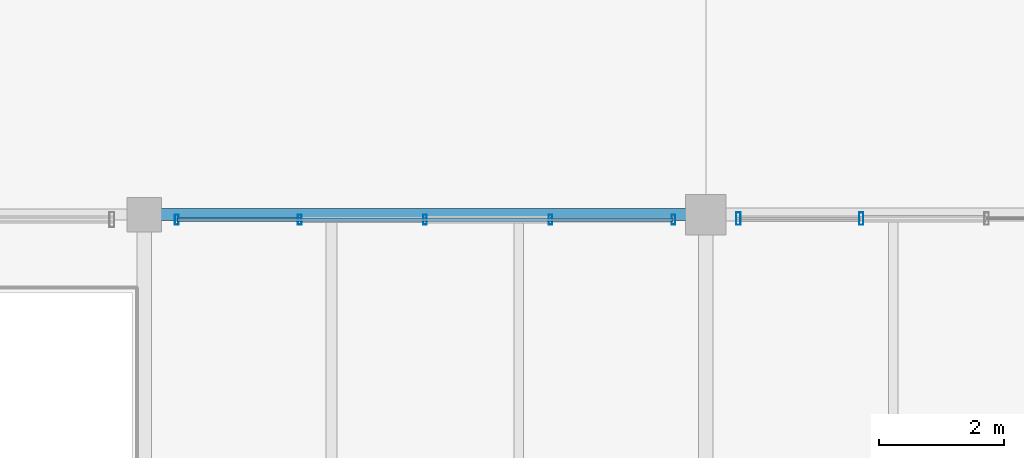
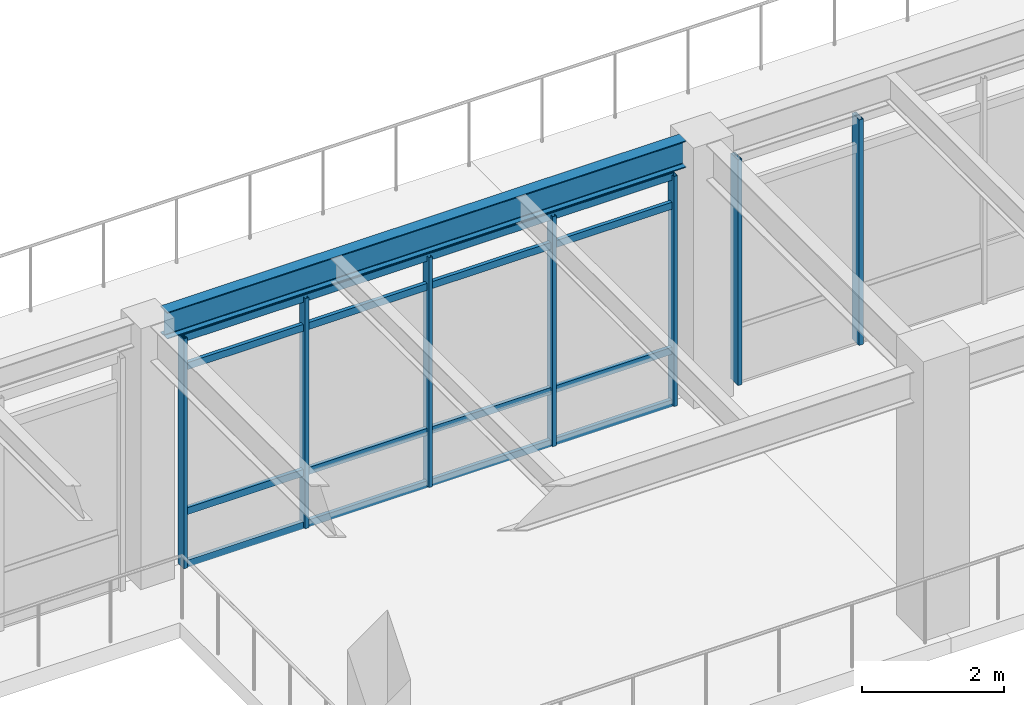
# One storey, part 75 of 200: 11 members, 1 beam, 2 elements without a shape of their own.
"""IFC4 building model written with IfcOpenShell, lengths in metres."""

from ifc_helpers import new_model, si_unit, direction, frame, origin, origin_2d, place, context, subcontext, project, spatial, hollow_rectangle, i_section, extrude, material, material_profile, profile_set, type_object, element, aggregate, save


model = new_model("IFC4")

# Units and contexts
model_context = context("Model", 3, precision=1e-05, world=origin(), true_north=direction((0.0, 1.0)))
body_context = subcontext(model_context, "Body", "Model", "MODEL_VIEW")
ifc_project = project(units=[si_unit("LENGTHUNIT", "METRE"), si_unit("AREAUNIT", "SQUARE_METRE"), si_unit("VOLUMEUNIT", "CUBIC_METRE"), si_unit("PLANEANGLEUNIT", "RADIAN"), si_unit("MASSUNIT", "GRAM", prefix="KILO"), si_unit("THERMODYNAMICTEMPERATUREUNIT", "KELVIN"), si_unit("POWERUNIT", "WATT")], contexts=[model_context])

# Site, building, storey
site_placement = place(None, origin())
site = spatial("IfcSite", under=ifc_project, at=site_placement, CompositionType="ELEMENT")
building_placement = place(site_placement, origin())
building = spatial("IfcBuilding", under=site, at=building_placement, Name="Tepalcoro Natatorium and Aquatics Centre", CompositionType="ELEMENT")
storey_placement = place(building_placement, frame((0.0, 0.0, 5.39990234375)))
storey = spatial("IfcBuildingStorey", under=building, at=storey_placement, Name="L01", CompositionType="ELEMENT", Elevation=5.39990234375)

# Curtain wall, members
ifc_material_1 = material(Name="Bronze-Anodised Extruded Aluminium Alloy EN AW-6063 T6", Category="aluminium")
curtain_wall_type_1 = type_object("IfcCurtainWallType", Name="CW_V1_PLINTH", PredefinedType="USERDEFINED", material=ifc_material_1)
curtain_wall_1_placement = place(storey_placement, origin())
curtain_wall_1 = element("IfcCurtainWall", 1, at=curtain_wall_1_placement, inside=storey, type_object=curtain_wall_type_1, Name="V1 L01 N Unitised Curtain Wall Bay 5", ObjectType="UNITISED STOREFRONT", PredefinedType="USERDEFINED")
ifc_material_profile_1 = material_profile(ifc_material_1, hollow_rectangle(XDim=0.06005859375, YDim=0.159912109375, WallThickness=0.00390625, at=origin_2d()), Name="AL60X160X4")
ifc_profile_set_1 = profile_set([ifc_material_profile_1], Name="Bronze-Anodised Extruded Aluminium Alloy EN AW-6063 T6")
member_type_1 = type_object("IfcMemberType", Name="CW_MUL_60x160", PredefinedType="MULLION", material=ifc_profile_set_1)
member_1_placement = place(storey_placement, frame((80.52001953125, 65.419921875, 0.02001953125), z_axis=(0.0, 0.0, 1.0), x_axis=(1.0, 0.0, 0.0)))
member_1 = element("IfcMember", 2, at=member_1_placement, type_object=member_type_1, Name="CW_V1_PLINTH Curtain Wall Mullion", PredefinedType="MULLION", context=body_context, shape_type="SweptSolid", body=[
    extrude(hollow_rectangle(XDim=0.06005859375, YDim=0.159912109375, WallThickness=0.00390625, at=origin_2d()), origin(), (0.0, 0.0, 1.0), 3.9501953125),
])
member_2_placement = place(storey_placement, frame((82.489990234375, 65.419921875, 0.02001953125), z_axis=(0.0, 0.0, 1.0), x_axis=(1.0, 0.0, 0.0)))
member_2 = element("IfcMember", 3, at=member_2_placement, type_object=member_type_1, Name="CW_V1_PLINTH Curtain Wall Mullion", PredefinedType="MULLION", context=body_context, shape_type="SweptSolid", body=[
    extrude(hollow_rectangle(XDim=0.06005859375, YDim=0.159912109375, WallThickness=0.00390625, at=origin_2d()), origin(), (0.0, 0.0, 1.0), 3.9501953125),
])
member_3_placement = place(storey_placement, frame((84.5, 65.419921875, 0.02001953125), z_axis=(0.0, 0.0, 1.0), x_axis=(1.0, 0.0, 0.0)))
member_3 = element("IfcMember", 4, at=member_3_placement, type_object=member_type_1, Name="CW_V1_PLINTH Curtain Wall Mullion", PredefinedType="MULLION", context=body_context, shape_type="SweptSolid", body=[
    extrude(hollow_rectangle(XDim=0.06005859375, YDim=0.159912109375, WallThickness=0.00390625, at=origin_2d()), origin(), (0.0, 0.0, 1.0), 3.9501953125),
])
member_4_placement = place(storey_placement, frame((86.510009765625, 65.419921875, 0.02001953125), z_axis=(0.0, 0.0, 1.0), x_axis=(1.0, 0.0, 0.0)))
member_4 = element("IfcMember", 5, at=member_4_placement, type_object=member_type_1, Name="CW_V1_PLINTH Curtain Wall Mullion", PredefinedType="MULLION", context=body_context, shape_type="SweptSolid", body=[
    extrude(hollow_rectangle(XDim=0.06005859375, YDim=0.159912109375, WallThickness=0.00390625, at=origin_2d()), origin(), (0.0, 0.0, 1.0), 3.9501953125),
])
member_5_placement = place(storey_placement, frame((88.47998046875, 65.419921875, 0.02001953125), z_axis=(0.0, 0.0, 1.0), x_axis=(1.0, 0.0, 0.0)))
member_5 = element("IfcMember", 6, at=member_5_placement, type_object=member_type_1, Name="CW_V1_PLINTH Curtain Wall Mullion", PredefinedType="MULLION", context=body_context, shape_type="SweptSolid", body=[
    extrude(hollow_rectangle(XDim=0.06005859375, YDim=0.159912109375, WallThickness=0.00390625, at=origin_2d()), origin(), (0.0, 0.0, 1.0), 3.9501953125),
])

curtain_wall_type_2 = type_object("IfcCurtainWallType", Name="CW_V2_DIVING", PredefinedType="USERDEFINED", material=ifc_material_1)
curtain_wall_2_placement = place(storey_placement, origin())
curtain_wall_2 = element("IfcCurtainWall", 7, at=curtain_wall_2_placement, inside=storey, type_object=curtain_wall_type_2, Name="V1 L01 N Unitised Curtain Wall Bay 6", ObjectType="FACETED SOLAR GLAZING", PredefinedType="USERDEFINED")
ifc_material_profile_2 = material_profile(ifc_material_1, hollow_rectangle(XDim=0.070068359375, YDim=0.199951171875, WallThickness=0.0048828125, at=origin_2d()), Name="AL70X200X5")
ifc_profile_set_2 = profile_set([ifc_material_profile_2], Name="Bronze-Anodised Extruded Aluminium Alloy EN AW-6063 T6")
member_type_2 = type_object("IfcMemberType", Name="CW_MUL_70x200", PredefinedType="MULLION", material=ifc_profile_set_2)
member_6_placement = place(storey_placement, frame((89.52001953125, 65.43505859375, 0.02001953125), z_axis=(0.0, 0.0, 1.0), x_axis=(1.0, 0.0, 0.0)))
member_6 = element("IfcMember", 8, at=member_6_placement, type_object=member_type_2, Name="CW_V2_DIVING Curtain Wall Mullion", PredefinedType="MULLION", context=body_context, shape_type="SweptSolid", body=[
    extrude(hollow_rectangle(XDim=0.070068359375, YDim=0.199951171875, WallThickness=0.0048828125, at=origin_2d()), origin(), (0.0, 0.0, 1.0), 3.8740234375),
])
member_7_placement = place(storey_placement, frame((91.489990234375, 65.43505859375, 0.02001953125), z_axis=(0.0, 0.0, 1.0), x_axis=(1.0, 0.0, 0.0)))
member_7 = element("IfcMember", 9, at=member_7_placement, type_object=member_type_2, Name="CW_V2_DIVING Curtain Wall Mullion", PredefinedType="MULLION", context=body_context, shape_type="SweptSolid", body=[
    extrude(hollow_rectangle(XDim=0.070068359375, YDim=0.199951171875, WallThickness=0.0048828125, at=origin_2d()), origin(), (0.0, 0.0, 1.0), 3.8740234375),
])
aggregate(curtain_wall_2, [member_6, member_7])

# Member
ifc_material_profile_3 = material_profile(ifc_material_1, hollow_rectangle(XDim=0.06005859375, YDim=0.1201171875, WallThickness=0.00390625, at=origin_2d()), Name="AL60X120X4")
ifc_profile_set_3 = profile_set([ifc_material_profile_3], Name="Bronze-Anodised Extruded Aluminium Alloy EN AW-6063 T6")
member_type_3 = type_object("IfcMemberType", Name="CW_TRN_60x120", PredefinedType="USERDEFINED", material=ifc_profile_set_3)
member_8_placement = place(storey_placement, frame((80.530029296875, 65.419921875, 0.050048828125), z_axis=(1.0, 0.0, 0.0), x_axis=(0.0, 1.0, 0.0)))
member_8 = element("IfcMember", 10, at=member_8_placement, type_object=member_type_3, Name="CW_V1_PLINTH Curtain Wall Transom", ObjectType="TRANSOM", PredefinedType="USERDEFINED", context=body_context, shape_type="SweptSolid", body=[
    extrude(hollow_rectangle(XDim=0.06005859375, YDim=0.1201171875, WallThickness=0.00390625, at=origin_2d()), origin(), (0.0, 0.0, 1.0), 7.93994140625),
])

member_9_placement = place(storey_placement, frame((80.530029296875, 65.419921875, 0.9501953125), z_axis=(1.0, 0.0, 0.0), x_axis=(0.0, 1.0, 0.0)))
member_9 = element("IfcMember", 11, at=member_9_placement, type_object=member_type_3, Name="CW_V1_PLINTH Curtain Wall Transom", ObjectType="TRANSOM", PredefinedType="USERDEFINED", context=body_context, shape_type="SweptSolid", body=[
    extrude(hollow_rectangle(XDim=0.06005859375, YDim=0.1201171875, WallThickness=0.00390625, at=origin_2d()), origin(), (0.0, 0.0, 1.0), 7.93994140625),
])

member_10_placement = place(storey_placement, frame((80.530029296875, 65.419921875, 3.440185546875), z_axis=(1.0, 0.0, 0.0), x_axis=(0.0, 1.0, 0.0)))
member_10 = element("IfcMember", 12, at=member_10_placement, type_object=member_type_3, Name="CW_V1_PLINTH Curtain Wall Transom", ObjectType="TRANSOM", PredefinedType="USERDEFINED", context=body_context, shape_type="SweptSolid", body=[
    extrude(hollow_rectangle(XDim=0.06005859375, YDim=0.1201171875, WallThickness=0.00390625, at=origin_2d()), origin(), (0.0, 0.0, 1.0), 7.93994140625),
])

member_11_placement = place(storey_placement, frame((80.530029296875, 65.419921875, 3.940185546875), z_axis=(1.0, 0.0, 0.0), x_axis=(0.0, 1.0, 0.0)))
member_11 = element("IfcMember", 13, at=member_11_placement, type_object=member_type_3, Name="CW_V1_PLINTH Curtain Wall Transom", ObjectType="TRANSOM", PredefinedType="USERDEFINED", context=body_context, shape_type="SweptSolid", body=[
    extrude(hollow_rectangle(XDim=0.06005859375, YDim=0.1201171875, WallThickness=0.00390625, at=origin_2d()), origin(), (0.0, 0.0, 1.0), 7.93994140625),
])

aggregate(curtain_wall_1, [member_1, member_2, member_3, member_4, member_5, member_8, member_9, member_10, member_11])

# Beam
ifc_material_2 = material(Name="Steel ASTM A992 Grade 50 (Fy 345 MPa)", Category="steel")
ifc_material_profile_4 = material_profile(ifc_material_2, i_section(OverallWidth=0.19091796875, OverallDepth=0.4599609375, WebThickness=0.010009765625, FlangeThickness=0.01611328125, FilletRadius=0.013916015625, at=origin_2d()), Name="W18X55")
ifc_profile_set_4 = profile_set([ifc_material_profile_4], Name="Steel ASTM A992 Grade 50 (Fy 345 MPa)")
beam_type = type_object("IfcBeamType", Name="SP_W18x55", PredefinedType="SPANDREL", material=ifc_profile_set_4)
beam_placement = place(storey_placement, frame((80.260009765625, 65.5, 4.235107421875), z_axis=(1.0, 0.0, 0.0), x_axis=(0.0, 1.0, 0.0)))
element("IfcBeam", 14, at=beam_placement, inside=storey, type_object=beam_type, Name="V1 L01 Grid Girder X", PredefinedType="SPANDREL", context=body_context, shape_type="SweptSolid", body=[
    extrude(i_section(OverallWidth=0.19091796875, OverallDepth=0.4599609375, WebThickness=0.010009765625, FlangeThickness=0.01611328125, FilletRadius=0.013916015625, at=origin_2d()), origin(), (0.0, 0.0, 1.0), 8.429931640625),
])

save(model, "model.ifc")
